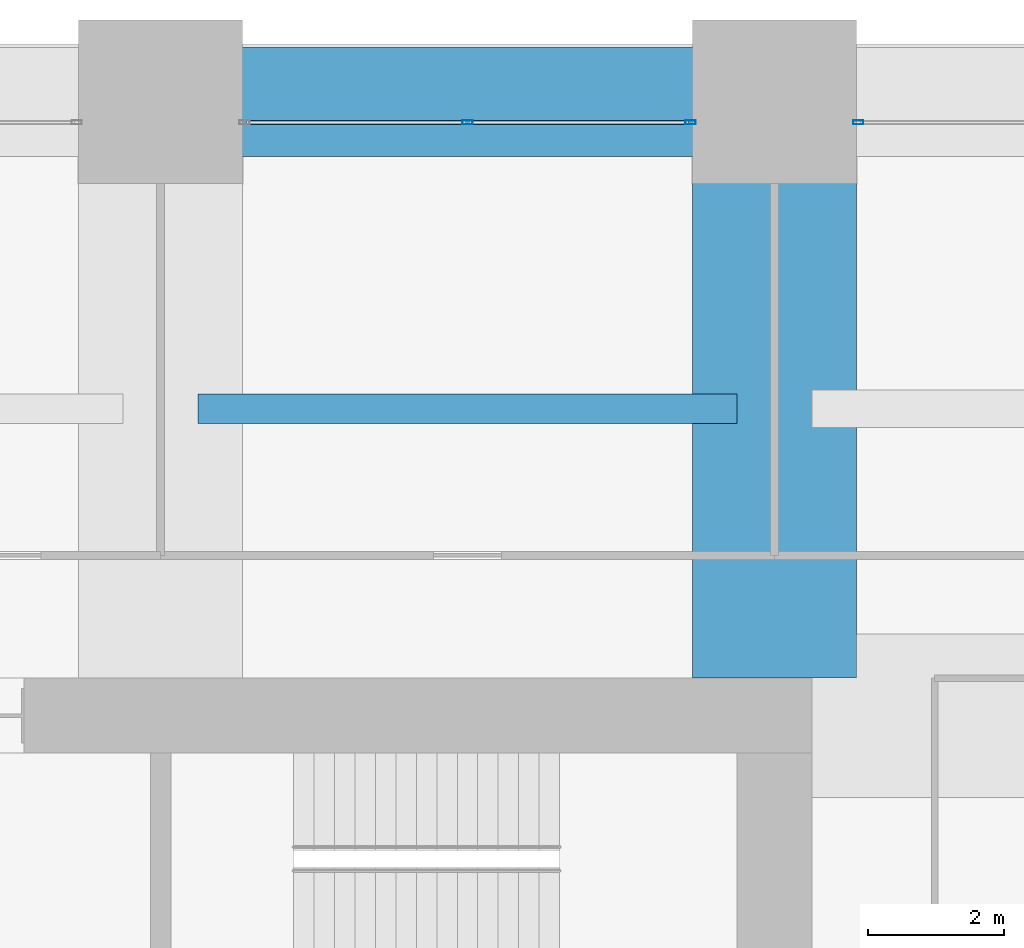
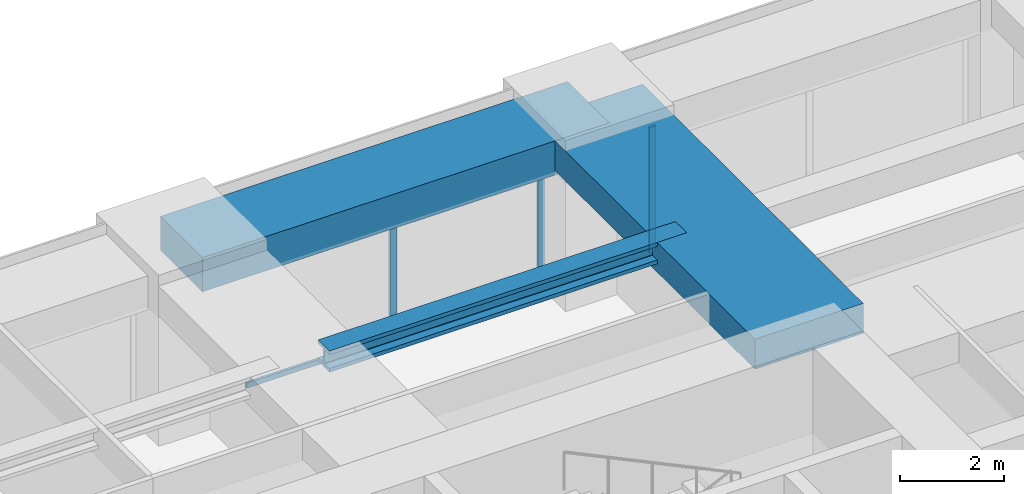
# One storey, part 31 of 43: 4 members, 3 beams, 2 elements without a shape of their own.
"""IFC4 building model written with IfcOpenShell, lengths in metres."""

import ifcopenshell
import ifcopenshell.guid

model = None  # the IFC model being written
_history = None  # IfcOwnerHistory: only IFC2X3 demands one
_inside = {}  # id of a spatial element -> (the spatial element, [elements in it])
_under = {}  # id of a project, library or spatial element -> (it, [spatial elements below it])
_declared = {}  # id of a project -> (the project, [libraries it declares])
_typed = {}  # id of a type object -> (the type object, [elements of that type])
_made_of = {}  # id of a material, layer set ... -> (it, [elements and type objects made of it])


def new_model(schema):
    """Start an empty IFC model of exactly this schema.

    Asked for "IFC4X3", IfcOpenShell would pick the latest addendum, in which some entities
    have other attributes; the version numbers below select the first issue.
    IFC2X3 requires an IfcOwnerHistory on every rooted entity: one is made here for all.
    """
    global model, _history
    if schema == "IFC4X3":
        model = ifcopenshell.file(schema_version=(4, 3, 0, 0))
    else:
        model = ifcopenshell.file(schema=schema)
    _inside.clear()
    _under.clear()
    _declared.clear()
    _typed.clear()
    _made_of.clear()
    _history = None
    if model.schema == "IFC2X3":
        org = make("IfcOrganization", Name="unknown")
        user = make(
            "IfcPersonAndOrganization",
            ThePerson=make("IfcPerson", FamilyName="unknown"),
            TheOrganization=org,
        )
        app = make(
            "IfcApplication",
            ApplicationDeveloper=org,
            Version="unknown",
            ApplicationFullName="unknown",
            ApplicationIdentifier="unknown",
        )
        _history = make(
            "IfcOwnerHistory",
            OwningUser=user,
            OwningApplication=app,
            ChangeAction="ADDED",
            CreationDate=0,
        )
    return model


def make(cls, **values):
    """One entity of the class cls with the attributes given. An attribute that is None is left unset."""
    return model.create_entity(
        cls, **{name: value for name, value in values.items() if value is not None}
    )


def rooted(cls, **values):
    """An entity with a GlobalId (a new one), such as an element, a storey or a relation."""
    return make(cls, GlobalId=ifcopenshell.guid.new(), OwnerHistory=_history, **values)


def si_unit(unit_type, name, prefix=None):
    """IfcSIUnit, for example si_unit("LENGTHUNIT", "METRE", prefix="MILLI")."""
    return make("IfcSIUnit", UnitType=unit_type, Prefix=prefix, Name=name)


def assignment(units):
    """IfcUnitAssignment: the units of a project."""
    return None if units is None else make("IfcUnitAssignment", Units=units)


def point(xyz):
    """IfcCartesianPoint."""
    return None if xyz is None else make("IfcCartesianPoint", Coordinates=xyz)


def direction(xyz):
    """IfcDirection."""
    return None if xyz is None else make("IfcDirection", DirectionRatios=xyz)


def frame(location, z_axis=None, x_axis=None):
    """IfcAxis2Placement3D, a coordinate frame: its origin and axes. An axis left out is left unset."""
    return make(
        "IfcAxis2Placement3D",
        Location=point(location),
        Axis=direction(z_axis),
        RefDirection=direction(x_axis),
    )


def frame_2d(location, x_axis=None):
    """IfcAxis2Placement2D, a coordinate frame in the plane: its origin and x axis."""
    return make(
        "IfcAxis2Placement2D", Location=point(location), RefDirection=direction(x_axis)
    )


def origin():
    """The frame at (0, 0, 0) with its axes left unset."""
    return frame((0.0, 0.0, 0.0))


def origin_2d():
    """The frame at (0, 0) in the plane with its x axis left unset."""
    return frame_2d((0.0, 0.0))


def place(relative_to, where):
    """IfcLocalPlacement: puts the frame where relative to a parent placement (None: the world)."""
    return make(
        "IfcLocalPlacement", PlacementRelTo=relative_to, RelativePlacement=where
    )


def context(
    kind, dimensions, precision=None, world=None, true_north=None, identifier=None
):
    """IfcGeometricRepresentationContext, for example the 3D "Model" context."""
    return make(
        "IfcGeometricRepresentationContext",
        ContextIdentifier=identifier,
        ContextType=kind,
        CoordinateSpaceDimension=dimensions,
        Precision=precision,
        WorldCoordinateSystem=world,
        TrueNorth=true_north,
    )


def subcontext(parent, identifier, kind, view, scale=None):
    """IfcGeometricRepresentationSubContext, for example "Body" below "Model"."""
    return make(
        "IfcGeometricRepresentationSubContext",
        ContextIdentifier=identifier,
        ContextType=kind,
        ParentContext=parent,
        TargetScale=scale,
        TargetView=view,
    )


def project(units=None, contexts=None):
    """IfcProject with its units and contexts."""
    return rooted(
        "IfcProject",
        Name="project",
        RepresentationContexts=contexts,
        UnitsInContext=assignment(units),
    )


def spatial(cls, under=None, at=None, **own):
    """A site, building, storey or space (cls), placed at a placement, below another one or the project."""
    s = rooted(cls, ObjectPlacement=at, **own)
    if under is not None:
        _under.setdefault(under.id(), (under, []))[1].append(s)
    return s


def profile(cls, at=None, kind="AREA", **sizes):
    """A parametric profile (cls). Its sizes go by their IFC names, for example OverallWidth=200.0."""
    return make(cls, ProfileType=kind, Position=at, **sizes)


def rectangle(**sizes):
    """IfcRectangleProfileDef."""
    return profile("IfcRectangleProfileDef", **sizes)


def hollow_rectangle(**sizes):
    """IfcRectangleHollowProfileDef."""
    return profile("IfcRectangleHollowProfileDef", **sizes)


def i_section(**sizes):
    """IfcIShapeProfileDef."""
    return profile("IfcIShapeProfileDef", **sizes)


def extrude(swept, where, along, depth):
    """IfcExtrudedAreaSolid: the profile swept, set in the frame where, extruded along a direction by depth."""
    return make(
        "IfcExtrudedAreaSolid",
        SweptArea=swept,
        Position=where,
        ExtrudedDirection=direction(along),
        Depth=depth,
    )


def shape(context_of_items, identifier, shape_type, items):
    """IfcShapeRepresentation: the items that make up one representation, for example the "Body"."""
    return make(
        "IfcShapeRepresentation",
        ContextOfItems=context_of_items,
        RepresentationIdentifier=identifier,
        RepresentationType=shape_type,
        Items=items,
    )


def material(Name=None, Category=None):
    """IfcMaterial."""
    return make("IfcMaterial", Name=Name, Category=Category)


def material_profile(
    of_material, cross_section, Name=None, Category=None, Priority=None
):
    """IfcMaterialProfile: a cross section and its material."""
    return make(
        "IfcMaterialProfile",
        Name=Name,
        Material=of_material,
        Profile=cross_section,
        Priority=Priority,
        Category=Category,
    )


def profile_set(profiles, Name=None, composite=None):
    """IfcMaterialProfileSet."""
    return make(
        "IfcMaterialProfileSet",
        Name=Name,
        MaterialProfiles=profiles,
        CompositeProfile=composite,
    )


def made_of(thing, what):
    """Note that an element or type object is made of a material, layer set ...; save() writes the relation."""
    if what is not None:
        _made_of.setdefault(what.id(), (what, []))[1].append(thing)
    return thing


def type_object(cls, material=None, **own):
    """A type object (cls), such as IfcWallType, which elements share."""
    return made_of(rooted(cls, **own), material)


def element(
    cls,
    number,
    at=None,
    inside=None,
    cuts=None,
    type_object=None,
    material=None,
    context=None,
    identifier="Body",
    shape_type=None,
    held_by="IfcProductDefinitionShape",
    body=None,
    shapes=None,
    **own,
):
    """One element of the class cls, such as IfcWall. Its Tag is "e" and its number.

    at: its placement. inside: the storey or other place that contains it. cuts: it is an
    opening in that element (IfcRelVoidsElement). A single representation is given by context,
    identifier, shape_type and body (its items); several are given by shapes. held_by: the class
    of the entity that holds the representations. save() writes the other relations.
    """
    e = rooted(cls, Tag="e%d" % number, ObjectPlacement=at, **own)
    if body is not None:
        shapes = [shape(context, identifier, shape_type, body)]
    if shapes is not None:
        e.Representation = make(held_by, Representations=shapes)
    if inside is not None:
        _inside.setdefault(inside.id(), (inside, []))[1].append(e)
    if cuts is not None:
        rooted(
            "IfcRelVoidsElement", RelatingBuildingElement=cuts, RelatedOpeningElement=e
        )
    if type_object is not None:
        _typed.setdefault(type_object.id(), (type_object, []))[1].append(e)
    return made_of(e, material)


def aggregate(whole, parts):
    """IfcRelAggregates: a whole, such as a stair, and the parts it consists of."""
    return rooted("IfcRelAggregates", RelatingObject=whole, RelatedObjects=parts)


def save(model, path):
    """Write the relations noted so far, then the file.

    IfcRelAggregates (storeys below a building ...), IfcRelContainedInSpatialStructure (elements
    in a storey), IfcRelDefinesByType, IfcRelAssociatesMaterial and IfcRelDeclares: one each for
    every whole, place, type object, material and project.
    """
    for whole, parts in _under.values():
        aggregate(whole, parts)
    for where, things in _inside.values():
        rooted(
            "IfcRelContainedInSpatialStructure",
            RelatedElements=things,
            RelatingStructure=where,
        )
    for kind, things in _typed.values():
        rooted("IfcRelDefinesByType", RelatedObjects=things, RelatingType=kind)
    for what, things in _made_of.values():
        rooted("IfcRelAssociatesMaterial", RelatedObjects=things, RelatingMaterial=what)
    for by, libraries in _declared.values():
        rooted("IfcRelDeclares", RelatingContext=by, RelatedDefinitions=libraries)
    model.write(path)


model = new_model("IFC4")

# Units and contexts
model_context = context("Model", 3, precision=1e-05, world=origin(), true_north=direction((0.0, 1.0)))
body_context = subcontext(model_context, "Body", "Model", "MODEL_VIEW")
ifc_project = project(units=[si_unit("LENGTHUNIT", "METRE"), si_unit("AREAUNIT", "SQUARE_METRE"), si_unit("VOLUMEUNIT", "CUBIC_METRE"), si_unit("PLANEANGLEUNIT", "RADIAN"), si_unit("MASSUNIT", "GRAM", prefix="KILO")], contexts=[model_context])

# Site, building, storey
site_placement = place(None, origin())
site = spatial("IfcSite", under=ifc_project, at=site_placement, CompositionType="ELEMENT")
building_placement = place(site_placement, origin())
building = spatial("IfcBuilding", under=site, at=building_placement, Name="Zorevar Civic Tower", CompositionType="ELEMENT")
storey_placement = place(building_placement, frame((0.0, 0.0, 141.0)))
storey = spatial("IfcBuildingStorey", under=building, at=storey_placement, Name="L34", CompositionType="ELEMENT", Elevation=141.0)

# Beam
ifc_material_1 = material(Name="Concrete C50/60", Category="concrete")
ifc_material_profile_1 = material_profile(ifc_material_1, rectangle(XDim=2.39990234375, YDim=0.699951171875, at=origin_2d()), Name="RC 2400x700")
ifc_profile_set_1 = profile_set([ifc_material_profile_1], Name="Concrete C50/60")
beam_type_1 = type_object("IfcBeamType", Name="Beam RC 2400x700", PredefinedType="BEAM", material=ifc_profile_set_1)
beam_1_placement = place(storey_placement, frame((45.0, 36.550048828125, 3.39990234375), z_axis=(0.0, 1.0, 0.0), x_axis=(-1.0, 0.0, 0.0)))
element("IfcBeam", 1, at=beam_1_placement, inside=storey, type_object=beam_type_1, Name="Girder L35", PredefinedType="BEAM", context=body_context, shape_type="SweptSolid", body=[
    extrude(rectangle(XDim=2.39990234375, YDim=0.699951171875, at=origin_2d()), origin(), (0.0, 0.0, 1.0), 8.449951171875),
])

# Curtain wall, members
ifc_material_2 = material(Name="Dark grey solar-control glass in black aluminium frame", Category="aluminium")
curtain_wall_type = type_object("IfcCurtainWallType", Name="Curtain wall CW3 mid zone", PredefinedType="NOTDEFINED", material=ifc_material_2)
curtain_wall_1_placement = place(storey_placement, origin())
curtain_wall_1 = element("IfcCurtainWall", 2, at=curtain_wall_1_placement, inside=storey, type_object=curtain_wall_type, Name="CW3 L34", PredefinedType="NOTDEFINED")
ifc_material_3 = material(Name="Aluminium, black anodised", Category="aluminium")
ifc_material_profile_2 = material_profile(ifc_material_3, hollow_rectangle(XDim=0.06005859375, YDim=0.14990234375, WallThickness=0.00390625, at=origin_2d()), Name="AL 150x60x4")
ifc_profile_set_2 = profile_set([ifc_material_profile_2], Name="Aluminium, black anodised")
member_type_1 = type_object("IfcMemberType", Name="CW3 mullion AL 150x60x4", PredefinedType="MULLION", material=ifc_profile_set_2)
member_1_placement = place(storey_placement, frame((40.5, 44.699951171875, 0.06005859375), z_axis=(0.0, 0.0, 1.0), x_axis=(0.0, 1.0, 0.0)))
member_1 = element("IfcMember", 3, at=member_1_placement, type_object=member_type_1, Name="CW3 mullion 2", PredefinedType="MULLION", context=body_context, shape_type="SweptSolid", body=[
    extrude(hollow_rectangle(XDim=0.06005859375, YDim=0.14990234375, WallThickness=0.00390625, at=origin_2d()), origin(), (0.0, 0.0, 1.0), 2.889892578125),
])
member_2_placement = place(storey_placement, frame((43.77001953125, 44.699951171875, 0.0), z_axis=(0.0, 0.0, 1.0), x_axis=(0.0, 1.0, 0.0)))
member_2 = element("IfcMember", 4, at=member_2_placement, type_object=member_type_1, Name="CW3 mullion 3", PredefinedType="MULLION", context=body_context, shape_type="SweptSolid", body=[
    extrude(hollow_rectangle(XDim=0.06005859375, YDim=0.14990234375, WallThickness=0.00390625, at=origin_2d()), origin(), (0.0, 0.0, 1.0), 2.949951171875),
])

# Curtain wall, member
curtain_wall_2_placement = place(storey_placement, origin())
curtain_wall_2 = element("IfcCurtainWall", 5, at=curtain_wall_2_placement, inside=storey, type_object=curtain_wall_type, Name="CW3 L34", PredefinedType="NOTDEFINED")
member_3_placement = place(storey_placement, frame((46.22998046875, 44.699951171875, 0.0), z_axis=(0.0, 0.0, 1.0), x_axis=(0.0, 1.0, 0.0)))
member_3 = element("IfcMember", 6, at=member_3_placement, type_object=member_type_1, Name="CW3 mullion 1", PredefinedType="MULLION", context=body_context, shape_type="SweptSolid", body=[
    extrude(hollow_rectangle(XDim=0.06005859375, YDim=0.14990234375, WallThickness=0.00390625, at=origin_2d()), origin(), (0.0, 0.0, 1.0), 2.949951171875),
])
aggregate(curtain_wall_2, [member_3])

# Member
ifc_material_4 = material(Name="Aluminium, black anodised", Category="aluminium")
ifc_material_profile_3 = material_profile(ifc_material_4, hollow_rectangle(XDim=0.06005859375, YDim=0.1201171875, WallThickness=0.0029296875, at=origin_2d()), Name="AL 120x60x3")
ifc_profile_set_3 = profile_set([ifc_material_profile_3], Name="Aluminium, black anodised")
member_type_2 = type_object("IfcMemberType", Name="CW3 transom AL 120x60x3", PredefinedType="USERDEFINED", material=ifc_profile_set_3)
member_4_placement = place(storey_placement, frame((37.260009765625, 44.699951171875, 0.030029296875), z_axis=(1.0, 0.0, 0.0), x_axis=(0.0, 1.0, 0.0)))
member_4 = element("IfcMember", 7, at=member_4_placement, type_object=member_type_2, Name="CW3 sill transom", ObjectType="TRANSOM", PredefinedType="USERDEFINED", context=body_context, shape_type="SweptSolid", body=[
    extrude(hollow_rectangle(XDim=0.06005859375, YDim=0.1201171875, WallThickness=0.0029296875, at=origin_2d()), origin(), (0.0, 0.0, 1.0), 6.47998046875),
])

aggregate(curtain_wall_1, [member_1, member_2, member_4])

# Beams
ifc_material_5 = material(Name="Steel S460M (HISTAR 460)", Category="steel")
ifc_material_profile_4 = material_profile(ifc_material_5, i_section(OverallWidth=0.431884765625, OverallDepth=0.498046875, WebThickness=0.0556640625, FlangeThickness=0.0888671875, FilletRadius=0.014892578125, at=origin_2d()), Name="HD 400x744")
ifc_profile_set_4 = profile_set([ifc_material_profile_4], Name="Steel S460M (HISTAR 460)")
beam_type_2 = type_object("IfcBeamType", Name="Core bay beam HD 400x744", PredefinedType="BEAM", material=ifc_profile_set_4)
beam_2_placement = place(storey_placement, frame((36.550048828125, 40.5, 3.5009765625), z_axis=(1.0, 0.0, 0.0), x_axis=(0.0, 1.0, 0.0)))
element("IfcBeam", 8, at=beam_2_placement, inside=storey, type_object=beam_type_2, Name="Secondary beam L35", PredefinedType="BEAM", context=body_context, shape_type="SweptSolid", body=[
    extrude(i_section(OverallWidth=0.431884765625, OverallDepth=0.498046875, WebThickness=0.0556640625, FlangeThickness=0.0888671875, FilletRadius=0.014892578125, at=origin_2d()), origin(), (0.0, 0.0, 1.0), 7.89990234375),
])
ifc_material_6 = material(Name="Concrete C50/60", Category="concrete")
ifc_material_profile_5 = material_profile(ifc_material_6, rectangle(XDim=1.60009765625, YDim=0.800048828125, at=origin_2d()), Name="RC 1600x800")
ifc_profile_set_5 = profile_set([ifc_material_profile_5], Name="Concrete C50/60")
beam_type_3 = type_object("IfcBeamType", Name="Edge beam RC 1600x800", PredefinedType="SPANDREL", material=ifc_profile_set_5)
beam_3_placement = place(storey_placement, frame((36.0, 45.0, 3.35009765625), z_axis=(1.0, 0.0, 0.0), x_axis=(0.0, 1.0, 0.0)))
element("IfcBeam", 9, at=beam_3_placement, inside=storey, type_object=beam_type_3, Name="Edge beam L35", PredefinedType="SPANDREL", context=body_context, shape_type="SweptSolid", body=[
    extrude(rectangle(XDim=1.60009765625, YDim=0.800048828125, at=origin_2d()), origin(), (0.0, 0.0, 1.0), 9.0),
])

save(model, "model.ifc")
